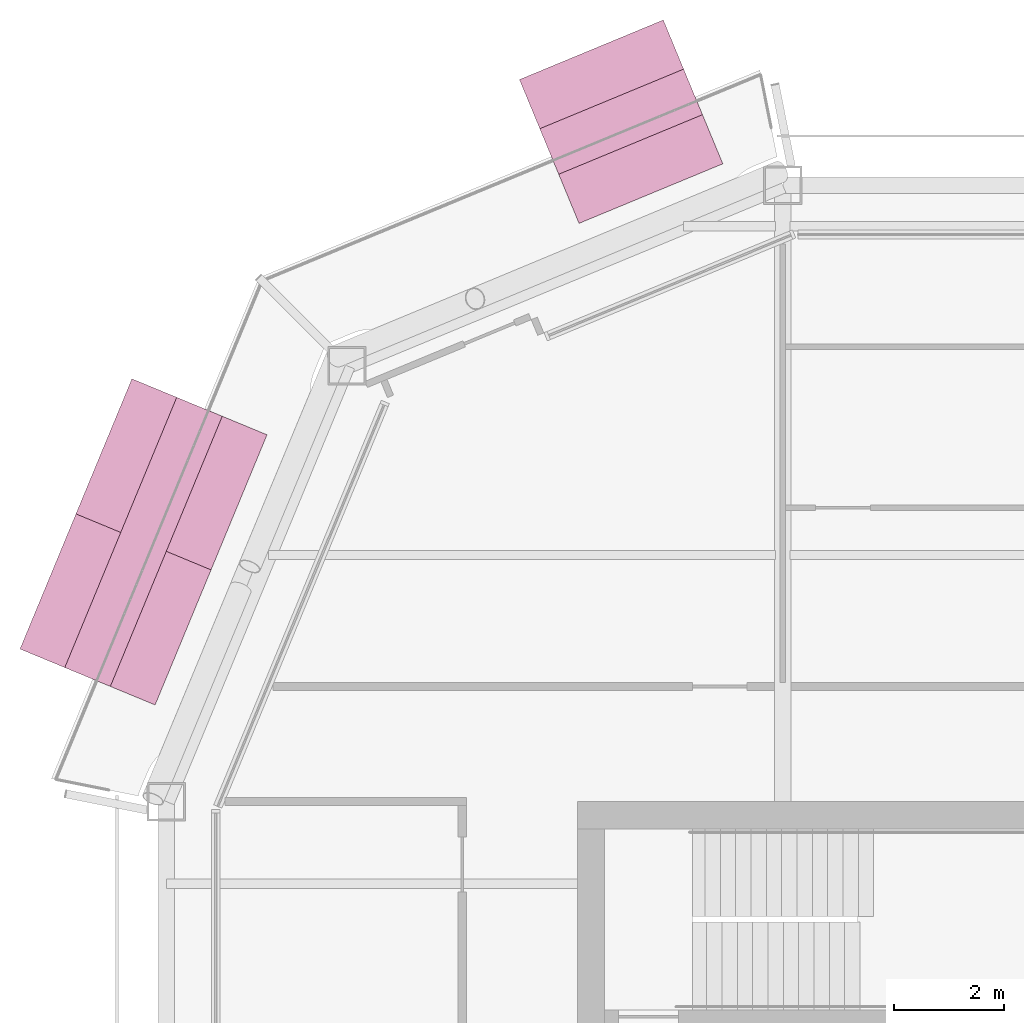
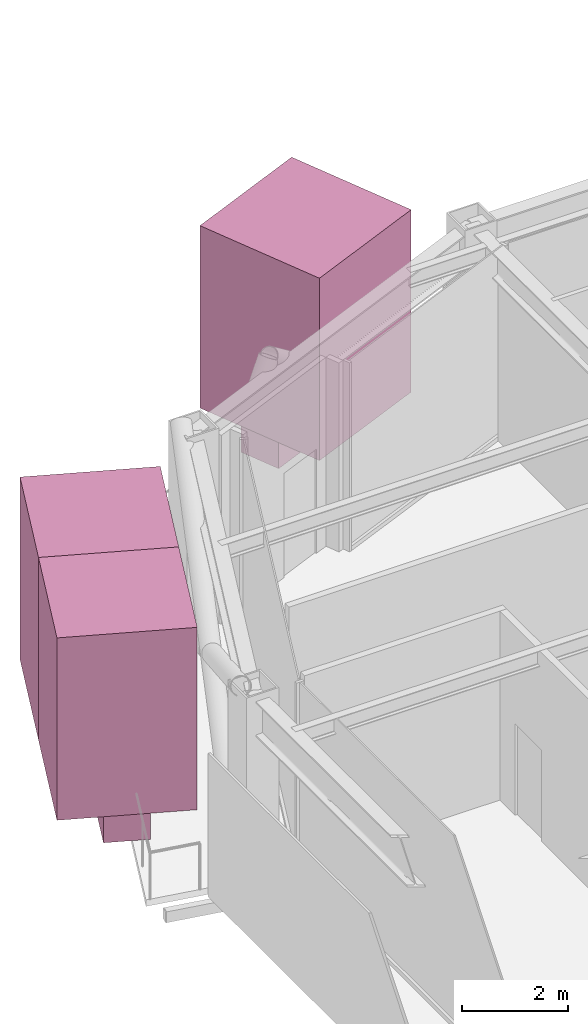
# One storey, part 22 of 22: 5 furnishings.
"""IFC4 building model written with IfcOpenShell, lengths in metres."""

import ifcopenshell
import ifcopenshell.guid

model = None  # the IFC model being written
_history = None  # IfcOwnerHistory: only IFC2X3 demands one
_inside = {}  # id of a spatial element -> (the spatial element, [elements in it])
_under = {}  # id of a project, library or spatial element -> (it, [spatial elements below it])
_declared = {}  # id of a project -> (the project, [libraries it declares])
_typed = {}  # id of a type object -> (the type object, [elements of that type])
_made_of = {}  # id of a material, layer set ... -> (it, [elements and type objects made of it])


def new_model(schema):
    """Start an empty IFC model of exactly this schema.

    Asked for "IFC4X3", IfcOpenShell would pick the latest addendum, in which some entities
    have other attributes; the version numbers below select the first issue.
    IFC2X3 requires an IfcOwnerHistory on every rooted entity: one is made here for all.
    """
    global model, _history
    if schema == "IFC4X3":
        model = ifcopenshell.file(schema_version=(4, 3, 0, 0))
    else:
        model = ifcopenshell.file(schema=schema)
    _inside.clear()
    _under.clear()
    _declared.clear()
    _typed.clear()
    _made_of.clear()
    _history = None
    if model.schema == "IFC2X3":
        org = make("IfcOrganization", Name="unknown")
        user = make(
            "IfcPersonAndOrganization",
            ThePerson=make("IfcPerson", FamilyName="unknown"),
            TheOrganization=org,
        )
        app = make(
            "IfcApplication",
            ApplicationDeveloper=org,
            Version="unknown",
            ApplicationFullName="unknown",
            ApplicationIdentifier="unknown",
        )
        _history = make(
            "IfcOwnerHistory",
            OwningUser=user,
            OwningApplication=app,
            ChangeAction="ADDED",
            CreationDate=0,
        )
    return model


def make(cls, **values):
    """One entity of the class cls with the attributes given. An attribute that is None is left unset."""
    return model.create_entity(
        cls, **{name: value for name, value in values.items() if value is not None}
    )


def rooted(cls, **values):
    """An entity with a GlobalId (a new one), such as an element, a storey or a relation."""
    return make(cls, GlobalId=ifcopenshell.guid.new(), OwnerHistory=_history, **values)


def si_unit(unit_type, name, prefix=None):
    """IfcSIUnit, for example si_unit("LENGTHUNIT", "METRE", prefix="MILLI")."""
    return make("IfcSIUnit", UnitType=unit_type, Prefix=prefix, Name=name)


def assignment(units):
    """IfcUnitAssignment: the units of a project."""
    return None if units is None else make("IfcUnitAssignment", Units=units)


def point(xyz):
    """IfcCartesianPoint."""
    return None if xyz is None else make("IfcCartesianPoint", Coordinates=xyz)


def direction(xyz):
    """IfcDirection."""
    return None if xyz is None else make("IfcDirection", DirectionRatios=xyz)


def frame(location, z_axis=None, x_axis=None):
    """IfcAxis2Placement3D, a coordinate frame: its origin and axes. An axis left out is left unset."""
    return make(
        "IfcAxis2Placement3D",
        Location=point(location),
        Axis=direction(z_axis),
        RefDirection=direction(x_axis),
    )


def frame_2d(location, x_axis=None):
    """IfcAxis2Placement2D, a coordinate frame in the plane: its origin and x axis."""
    return make(
        "IfcAxis2Placement2D", Location=point(location), RefDirection=direction(x_axis)
    )


def origin():
    """The frame at (0, 0, 0) with its axes left unset."""
    return frame((0.0, 0.0, 0.0))


def origin_2d():
    """The frame at (0, 0) in the plane with its x axis left unset."""
    return frame_2d((0.0, 0.0))


def place(relative_to, where):
    """IfcLocalPlacement: puts the frame where relative to a parent placement (None: the world)."""
    return make(
        "IfcLocalPlacement", PlacementRelTo=relative_to, RelativePlacement=where
    )


def context(
    kind, dimensions, precision=None, world=None, true_north=None, identifier=None
):
    """IfcGeometricRepresentationContext, for example the 3D "Model" context."""
    return make(
        "IfcGeometricRepresentationContext",
        ContextIdentifier=identifier,
        ContextType=kind,
        CoordinateSpaceDimension=dimensions,
        Precision=precision,
        WorldCoordinateSystem=world,
        TrueNorth=true_north,
    )


def subcontext(parent, identifier, kind, view, scale=None):
    """IfcGeometricRepresentationSubContext, for example "Body" below "Model"."""
    return make(
        "IfcGeometricRepresentationSubContext",
        ContextIdentifier=identifier,
        ContextType=kind,
        ParentContext=parent,
        TargetScale=scale,
        TargetView=view,
    )


def project(units=None, contexts=None):
    """IfcProject with its units and contexts."""
    return rooted(
        "IfcProject",
        Name="project",
        RepresentationContexts=contexts,
        UnitsInContext=assignment(units),
    )


def spatial(cls, under=None, at=None, **own):
    """A site, building, storey or space (cls), placed at a placement, below another one or the project."""
    s = rooted(cls, ObjectPlacement=at, **own)
    if under is not None:
        _under.setdefault(under.id(), (under, []))[1].append(s)
    return s


def profile(cls, at=None, kind="AREA", **sizes):
    """A parametric profile (cls). Its sizes go by their IFC names, for example OverallWidth=200.0."""
    return make(cls, ProfileType=kind, Position=at, **sizes)


def rectangle(**sizes):
    """IfcRectangleProfileDef."""
    return profile("IfcRectangleProfileDef", **sizes)


def extrude(swept, where, along, depth):
    """IfcExtrudedAreaSolid: the profile swept, set in the frame where, extruded along a direction by depth."""
    return make(
        "IfcExtrudedAreaSolid",
        SweptArea=swept,
        Position=where,
        ExtrudedDirection=direction(along),
        Depth=depth,
    )


def shape(context_of_items, identifier, shape_type, items):
    """IfcShapeRepresentation: the items that make up one representation, for example the "Body"."""
    return make(
        "IfcShapeRepresentation",
        ContextOfItems=context_of_items,
        RepresentationIdentifier=identifier,
        RepresentationType=shape_type,
        Items=items,
    )


def material(Name=None, Category=None):
    """IfcMaterial."""
    return make("IfcMaterial", Name=Name, Category=Category)


def made_of(thing, what):
    """Note that an element or type object is made of a material, layer set ...; save() writes the relation."""
    if what is not None:
        _made_of.setdefault(what.id(), (what, []))[1].append(thing)
    return thing


def type_object(cls, material=None, **own):
    """A type object (cls), such as IfcWallType, which elements share."""
    return made_of(rooted(cls, **own), material)


def element(
    cls,
    number,
    at=None,
    inside=None,
    cuts=None,
    type_object=None,
    material=None,
    context=None,
    identifier="Body",
    shape_type=None,
    held_by="IfcProductDefinitionShape",
    body=None,
    shapes=None,
    **own,
):
    """One element of the class cls, such as IfcWall. Its Tag is "e" and its number.

    at: its placement. inside: the storey or other place that contains it. cuts: it is an
    opening in that element (IfcRelVoidsElement). A single representation is given by context,
    identifier, shape_type and body (its items); several are given by shapes. held_by: the class
    of the entity that holds the representations. save() writes the other relations.
    """
    e = rooted(cls, Tag="e%d" % number, ObjectPlacement=at, **own)
    if body is not None:
        shapes = [shape(context, identifier, shape_type, body)]
    if shapes is not None:
        e.Representation = make(held_by, Representations=shapes)
    if inside is not None:
        _inside.setdefault(inside.id(), (inside, []))[1].append(e)
    if cuts is not None:
        rooted(
            "IfcRelVoidsElement", RelatingBuildingElement=cuts, RelatedOpeningElement=e
        )
    if type_object is not None:
        _typed.setdefault(type_object.id(), (type_object, []))[1].append(e)
    return made_of(e, material)


def aggregate(whole, parts):
    """IfcRelAggregates: a whole, such as a stair, and the parts it consists of."""
    return rooted("IfcRelAggregates", RelatingObject=whole, RelatedObjects=parts)


def save(model, path):
    """Write the relations noted so far, then the file.

    IfcRelAggregates (storeys below a building ...), IfcRelContainedInSpatialStructure (elements
    in a storey), IfcRelDefinesByType, IfcRelAssociatesMaterial and IfcRelDeclares: one each for
    every whole, place, type object, material and project.
    """
    for whole, parts in _under.values():
        aggregate(whole, parts)
    for where, things in _inside.values():
        rooted(
            "IfcRelContainedInSpatialStructure",
            RelatedElements=things,
            RelatingStructure=where,
        )
    for kind, things in _typed.values():
        rooted("IfcRelDefinesByType", RelatedObjects=things, RelatingType=kind)
    for what, things in _made_of.values():
        rooted("IfcRelAssociatesMaterial", RelatedObjects=things, RelatingMaterial=what)
    for by, libraries in _declared.values():
        rooted("IfcRelDeclares", RelatingContext=by, RelatedDefinitions=libraries)
    model.write(path)


model = new_model("IFC4")

# Units and contexts
model_context = context("Model", 3, precision=1e-05, world=origin(), true_north=direction((0.0, 1.0)))
body_context = subcontext(model_context, "Body", "Model", "MODEL_VIEW")
ifc_project = project(units=[si_unit("LENGTHUNIT", "METRE"), si_unit("AREAUNIT", "SQUARE_METRE"), si_unit("VOLUMEUNIT", "CUBIC_METRE"), si_unit("PLANEANGLEUNIT", "RADIAN"), si_unit("MASSUNIT", "GRAM", prefix="KILO")], contexts=[model_context])

# Site, building, storey
site_placement = place(None, origin())
site = spatial("IfcSite", under=ifc_project, at=site_placement, CompositionType="ELEMENT")
building_placement = place(site_placement, origin())
building = spatial("IfcBuilding", under=site, at=building_placement, Name="Siwar Civic Tower", CompositionType="ELEMENT")
storey_placement = place(building_placement, frame((0.0, 0.0, 330.199951171875)))
storey = spatial("IfcBuildingStorey", under=building, at=storey_placement, Name="L71", CompositionType="ELEMENT", Elevation=330.199951171875)

# Furnishings
ifc_material_1 = material(Name="Planting soil and foliage")
furnishing_element_type_1 = type_object("IfcFurnishingElementType", Name="ENV-PLANTER", material=ifc_material_1)
furnishing_1_placement = place(storey_placement, frame((-16.449951171875, 25.909423828125, 0.0), z_axis=(0.0, 0.0, 1.0), x_axis=(-0.923879532511, -0.382683432365, 0.0)))
element("IfcFurnishingElement", 1, at=furnishing_1_placement, inside=storey, type_object=furnishing_element_type_1, Name="PLANTER NW 1", context=body_context, shape_type="SweptSolid", body=[
    extrude(rectangle(XDim=2.84130859375, YDim=0.89990234375, at=origin_2d()), origin(), (0.0, 0.0, 1.0), 0.60009765625),
])
furnishing_2_placement = place(storey_placement, frame((-25.16796875, 18.23974609375, 0.0), z_axis=(0.0, 0.0, 1.0), x_axis=(-0.382683432365, -0.923879532511, 0.0)))
element("IfcFurnishingElement", 2, at=furnishing_2_placement, inside=storey, type_object=furnishing_element_type_1, Name="PLANTER NW 2", context=body_context, shape_type="SweptSolid", body=[
    extrude(rectangle(XDim=5.33837890625, YDim=0.89990234375, at=origin_2d()), origin(), (0.0, 0.0, 1.0), 0.60009765625),
])
ifc_material_2 = material(Name="Planting soil and foliage")
furnishing_element_type_2 = type_object("IfcFurnishingElementType", Name="ENV-TREE", material=ifc_material_2)
furnishing_3_placement = place(storey_placement, frame((-16.449951171875, 25.909423828125, 0.60009765625), z_axis=(0.0, 0.0, 1.0), x_axis=(-0.923879532511, -0.382683432365, 0.0)))
element("IfcFurnishingElement", 3, at=furnishing_3_placement, inside=storey, type_object=furnishing_element_type_2, Name="PLANTER (TREE) NW 1.1", context=body_context, shape_type="SweptSolid", body=[
    extrude(rectangle(XDim=2.84130859375, YDim=2.84130859375, at=origin_2d()), origin(), (0.0, 0.0, 1.0), 4.199951171875),
])
for number, where, z_axis, x_axis, name in (
    (4, (-24.6572265625, 19.472900390625, 0.60009765625), (0.0, 0.0, 1.0), (-0.382683432365, -0.923879532511, 0.0), "PLANTER (TREE) NW 2.1"),
    (5, (-25.6787109375, 17.0068359375, 0.60009765625), (0.0, 0.0, 1.0), (-0.382683432365, -0.923879532511, 0.0), "PLANTER (TREE) NW 2.2"),
):
    element("IfcFurnishingElement", number, at=place(storey_placement, frame(where, z_axis=z_axis, x_axis=x_axis)), inside=storey, type_object=furnishing_element_type_2, Name=name, context=body_context, shape_type="SweptSolid", body=[
        extrude(rectangle(XDim=2.669189453125, YDim=2.669189453125, at=origin_2d()), origin(), (0.0, 0.0, 1.0), 4.199951171875),
    ])

save(model, "model.ifc")
